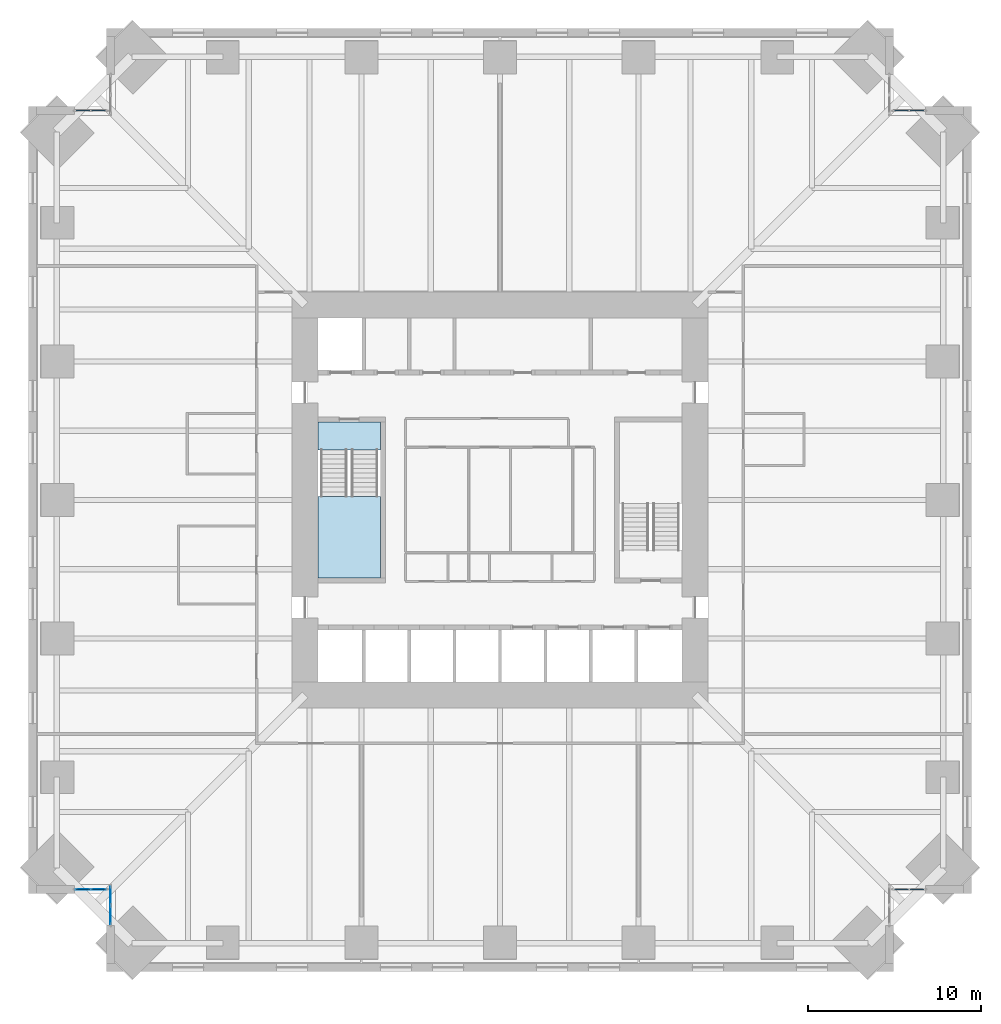
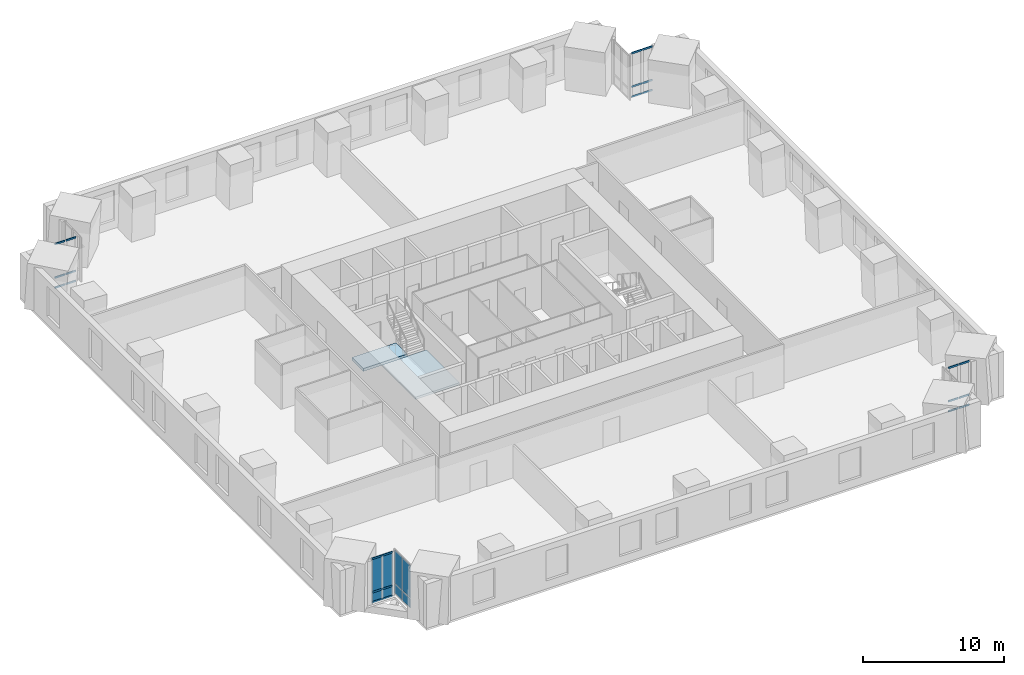
# One storey, part 9 of 16: 24 members, 8 plates, 2 slabs, 6 elements without a shape of their own.
"""IFC4 building model written with IfcOpenShell, lengths in metres."""

from ifc_helpers import new_model, si_unit, direction, frame, origin, origin_2d, place, context, subcontext, project, spatial, polyline, rectangle, hollow_rectangle, outline, extrude, material, layer, layer_set, material_profile, profile_set, type_object, element, aggregate, save


model = new_model("IFC4")

# Units and contexts
model_context = context("Model", 3, precision=1e-05, world=origin(), true_north=direction((0.0, 1.0)))
body_context = subcontext(model_context, "Body", "Model", "MODEL_VIEW")
ifc_project = project(units=[si_unit("LENGTHUNIT", "METRE"), si_unit("AREAUNIT", "SQUARE_METRE"), si_unit("VOLUMEUNIT", "CUBIC_METRE"), si_unit("PLANEANGLEUNIT", "RADIAN"), si_unit("MASSUNIT", "GRAM", prefix="KILO")], contexts=[model_context])

# Site, building, storey
site_placement = place(None, origin())
site = spatial("IfcSite", under=ifc_project, at=site_placement, CompositionType="ELEMENT")
building_placement = place(site_placement, origin())
building = spatial("IfcBuilding", under=site, at=building_placement, Name="Peilmerk Tower", CompositionType="ELEMENT")
storey_placement = place(building_placement, frame((0.0, 0.0, 131.800048828125)))
storey = spatial("IfcBuildingStorey", under=building, at=storey_placement, Name="L26", CompositionType="ELEMENT", Elevation=131.800048828125)

# Curtain wall, members
ifc_material_1 = material(Name="Aluminium stick curtain wall", Category="aluminium")
curtain_wall_type = type_object("IfcCurtainWallType", Name="CW3 stick curtain wall, 2250 module", PredefinedType="NOTDEFINED", material=ifc_material_1)
curtain_wall_1_placement = place(storey_placement, origin())
curtain_wall_1 = element("IfcCurtainWall", 1, at=curtain_wall_1_placement, inside=storey, type_object=curtain_wall_type, Name="Curtain wall CW3 NEB L26", PredefinedType="NOTDEFINED")
ifc_material_2 = material(Name="Aluminium EN AW-6063 T6", Category="aluminium")
ifc_material_profile = material_profile(ifc_material_2, hollow_rectangle(XDim=0.06494140625, YDim=0.14990234375, WallThickness=0.0029296875, at=origin_2d()), Name="AL 150x65x3")
ifc_profile_set = profile_set([ifc_material_profile], Name="Aluminium EN AW-6063 T6")
member_type = type_object("IfcMemberType", Name="CW3-T AL 150x65x3 transom", PredefinedType="USERDEFINED", material=ifc_profile_set)
member_1_placement = place(storey_placement, frame((22.764892578125, 22.47509765625, 0.032470703125), z_axis=(1.0, 0.0, 0.0), x_axis=(0.0, 1.0, 0.0)))
member_1 = element("IfcMember", 2, at=member_1_placement, type_object=member_type, Name="CW3 transom 1.1", ObjectType="TRANSOM", PredefinedType="USERDEFINED", context=body_context, shape_type="SweptSolid", body=[
    extrude(hollow_rectangle(XDim=0.06494140625, YDim=0.14990234375, WallThickness=0.0029296875, at=origin_2d()), origin(), (0.0, 0.0, 1.0), 0.822021484375),
])
member_2_placement = place(storey_placement, frame((22.764892578125, 22.47509765625, 0.89990234375), z_axis=(1.0, 0.0, 0.0), x_axis=(0.0, 1.0, 0.0)))
member_2 = element("IfcMember", 3, at=member_2_placement, type_object=member_type, Name="CW3 transom 1.2", ObjectType="TRANSOM", PredefinedType="USERDEFINED", context=body_context, shape_type="SweptSolid", body=[
    extrude(hollow_rectangle(XDim=0.06494140625, YDim=0.14990234375, WallThickness=0.0029296875, at=origin_2d()), origin(), (0.0, 0.0, 1.0), 0.822021484375),
])
member_3_placement = place(storey_placement, frame((22.764892578125, 22.47509765625, 3.79736328125), z_axis=(1.0, 0.0, 0.0), x_axis=(0.0, 1.0, 0.0)))
member_3 = element("IfcMember", 4, at=member_3_placement, type_object=member_type, Name="CW3 transom 1.3", ObjectType="TRANSOM", PredefinedType="USERDEFINED", context=body_context, shape_type="SweptSolid", body=[
    extrude(hollow_rectangle(XDim=0.06494140625, YDim=0.14990234375, WallThickness=0.0029296875, at=origin_2d()), origin(), (0.0, 0.0, 1.0), 0.822021484375),
])
member_4_placement = place(storey_placement, frame((23.65185546875, 22.47509765625, 0.032470703125), z_axis=(1.0, 0.0, 0.0), x_axis=(0.0, 1.0, 0.0)))
member_4 = element("IfcMember", 5, at=member_4_placement, type_object=member_type, Name="CW3 transom 2.1", ObjectType="TRANSOM", PredefinedType="USERDEFINED", context=body_context, shape_type="SweptSolid", body=[
    extrude(hollow_rectangle(XDim=0.06494140625, YDim=0.14990234375, WallThickness=0.0029296875, at=origin_2d()), origin(), (0.0, 0.0, 1.0), 0.82177734375),
])
member_5_placement = place(storey_placement, frame((23.65185546875, 22.47509765625, 0.89990234375), z_axis=(1.0, 0.0, 0.0), x_axis=(0.0, 1.0, 0.0)))
member_5 = element("IfcMember", 6, at=member_5_placement, type_object=member_type, Name="CW3 transom 2.2", ObjectType="TRANSOM", PredefinedType="USERDEFINED", context=body_context, shape_type="SweptSolid", body=[
    extrude(hollow_rectangle(XDim=0.06494140625, YDim=0.14990234375, WallThickness=0.0029296875, at=origin_2d()), origin(), (0.0, 0.0, 1.0), 0.82177734375),
])
member_6_placement = place(storey_placement, frame((23.65185546875, 22.47509765625, 3.79736328125), z_axis=(1.0, 0.0, 0.0), x_axis=(0.0, 1.0, 0.0)))
member_6 = element("IfcMember", 7, at=member_6_placement, type_object=member_type, Name="CW3 transom 2.3", ObjectType="TRANSOM", PredefinedType="USERDEFINED", context=body_context, shape_type="SweptSolid", body=[
    extrude(hollow_rectangle(XDim=0.06494140625, YDim=0.14990234375, WallThickness=0.0029296875, at=origin_2d()), origin(), (0.0, 0.0, 1.0), 0.82177734375),
])
aggregate(curtain_wall_1, [member_1, member_2, member_3, member_4, member_5, member_6])

curtain_wall_2_placement = place(storey_placement, origin())
curtain_wall_2 = element("IfcCurtainWall", 8, at=curtain_wall_2_placement, inside=storey, type_object=curtain_wall_type, Name="Curtain wall CW3 SEB L26", PredefinedType="NOTDEFINED")
member_7_placement = place(storey_placement, frame((22.764892578125, -22.47509765625, 0.032470703125), z_axis=(1.0, 0.0, 0.0), x_axis=(0.0, 1.0, 0.0)))
member_7 = element("IfcMember", 9, at=member_7_placement, type_object=member_type, Name="CW3 transom 1.1", ObjectType="TRANSOM", PredefinedType="USERDEFINED", context=body_context, shape_type="SweptSolid", body=[
    extrude(hollow_rectangle(XDim=0.06494140625, YDim=0.14990234375, WallThickness=0.0029296875, at=origin_2d()), origin(), (0.0, 0.0, 1.0), 0.822021484375),
])
member_8_placement = place(storey_placement, frame((22.764892578125, -22.47509765625, 0.89990234375), z_axis=(1.0, 0.0, 0.0), x_axis=(0.0, 1.0, 0.0)))
member_8 = element("IfcMember", 10, at=member_8_placement, type_object=member_type, Name="CW3 transom 1.2", ObjectType="TRANSOM", PredefinedType="USERDEFINED", context=body_context, shape_type="SweptSolid", body=[
    extrude(hollow_rectangle(XDim=0.06494140625, YDim=0.14990234375, WallThickness=0.0029296875, at=origin_2d()), origin(), (0.0, 0.0, 1.0), 0.822021484375),
])
member_9_placement = place(storey_placement, frame((22.764892578125, -22.47509765625, 3.79736328125), z_axis=(1.0, 0.0, 0.0), x_axis=(0.0, 1.0, 0.0)))
member_9 = element("IfcMember", 11, at=member_9_placement, type_object=member_type, Name="CW3 transom 1.3", ObjectType="TRANSOM", PredefinedType="USERDEFINED", context=body_context, shape_type="SweptSolid", body=[
    extrude(hollow_rectangle(XDim=0.06494140625, YDim=0.14990234375, WallThickness=0.0029296875, at=origin_2d()), origin(), (0.0, 0.0, 1.0), 0.822021484375),
])
member_10_placement = place(storey_placement, frame((23.65185546875, -22.47509765625, 0.032470703125), z_axis=(1.0, 0.0, 0.0), x_axis=(0.0, 1.0, 0.0)))
member_10 = element("IfcMember", 12, at=member_10_placement, type_object=member_type, Name="CW3 transom 2.1", ObjectType="TRANSOM", PredefinedType="USERDEFINED", context=body_context, shape_type="SweptSolid", body=[
    extrude(hollow_rectangle(XDim=0.06494140625, YDim=0.14990234375, WallThickness=0.0029296875, at=origin_2d()), origin(), (0.0, 0.0, 1.0), 0.82177734375),
])
member_11_placement = place(storey_placement, frame((23.65185546875, -22.47509765625, 0.89990234375), z_axis=(1.0, 0.0, 0.0), x_axis=(0.0, 1.0, 0.0)))
member_11 = element("IfcMember", 13, at=member_11_placement, type_object=member_type, Name="CW3 transom 2.2", ObjectType="TRANSOM", PredefinedType="USERDEFINED", context=body_context, shape_type="SweptSolid", body=[
    extrude(hollow_rectangle(XDim=0.06494140625, YDim=0.14990234375, WallThickness=0.0029296875, at=origin_2d()), origin(), (0.0, 0.0, 1.0), 0.82177734375),
])
member_12_placement = place(storey_placement, frame((23.65185546875, -22.47509765625, 3.79736328125), z_axis=(1.0, 0.0, 0.0), x_axis=(0.0, 1.0, 0.0)))
member_12 = element("IfcMember", 14, at=member_12_placement, type_object=member_type, Name="CW3 transom 2.3", ObjectType="TRANSOM", PredefinedType="USERDEFINED", context=body_context, shape_type="SweptSolid", body=[
    extrude(hollow_rectangle(XDim=0.06494140625, YDim=0.14990234375, WallThickness=0.0029296875, at=origin_2d()), origin(), (0.0, 0.0, 1.0), 0.82177734375),
])
aggregate(curtain_wall_2, [member_7, member_8, member_9, member_10, member_11, member_12])

curtain_wall_3_placement = place(storey_placement, origin())
curtain_wall_3 = element("IfcCurtainWall", 15, at=curtain_wall_3_placement, inside=storey, type_object=curtain_wall_type, Name="Curtain wall CW3 SWB L26", PredefinedType="NOTDEFINED")
member_13_placement = place(storey_placement, frame((-22.764892578125, -22.47509765625, 0.032470703125), z_axis=(-1.0, 0.0, 0.0), x_axis=(0.0, -1.0, 0.0)))
member_13 = element("IfcMember", 16, at=member_13_placement, type_object=member_type, Name="CW3 transom 1.1", ObjectType="TRANSOM", PredefinedType="USERDEFINED", context=body_context, shape_type="SweptSolid", body=[
    extrude(hollow_rectangle(XDim=0.06494140625, YDim=0.14990234375, WallThickness=0.0029296875, at=origin_2d()), origin(), (0.0, 0.0, 1.0), 0.822021484375),
])
member_14_placement = place(storey_placement, frame((-22.764892578125, -22.47509765625, 0.89990234375), z_axis=(-1.0, 0.0, 0.0), x_axis=(0.0, -1.0, 0.0)))
member_14 = element("IfcMember", 17, at=member_14_placement, type_object=member_type, Name="CW3 transom 1.2", ObjectType="TRANSOM", PredefinedType="USERDEFINED", context=body_context, shape_type="SweptSolid", body=[
    extrude(hollow_rectangle(XDim=0.06494140625, YDim=0.14990234375, WallThickness=0.0029296875, at=origin_2d()), origin(), (0.0, 0.0, 1.0), 0.822021484375),
])
member_15_placement = place(storey_placement, frame((-22.764892578125, -22.47509765625, 3.79736328125), z_axis=(-1.0, 0.0, 0.0), x_axis=(0.0, -1.0, 0.0)))
member_15 = element("IfcMember", 18, at=member_15_placement, type_object=member_type, Name="CW3 transom 1.3", ObjectType="TRANSOM", PredefinedType="USERDEFINED", context=body_context, shape_type="SweptSolid", body=[
    extrude(hollow_rectangle(XDim=0.06494140625, YDim=0.14990234375, WallThickness=0.0029296875, at=origin_2d()), origin(), (0.0, 0.0, 1.0), 0.822021484375),
])
member_16_placement = place(storey_placement, frame((-23.65185546875, -22.47509765625, 0.032470703125), z_axis=(-1.0, 0.0, 0.0), x_axis=(0.0, -1.0, 0.0)))
member_16 = element("IfcMember", 19, at=member_16_placement, type_object=member_type, Name="CW3 transom 2.1", ObjectType="TRANSOM", PredefinedType="USERDEFINED", context=body_context, shape_type="SweptSolid", body=[
    extrude(hollow_rectangle(XDim=0.06494140625, YDim=0.14990234375, WallThickness=0.0029296875, at=origin_2d()), origin(), (0.0, 0.0, 1.0), 0.82177734375),
])
member_17_placement = place(storey_placement, frame((-23.65185546875, -22.47509765625, 0.89990234375), z_axis=(-1.0, 0.0, 0.0), x_axis=(0.0, -1.0, 0.0)))
member_17 = element("IfcMember", 20, at=member_17_placement, type_object=member_type, Name="CW3 transom 2.2", ObjectType="TRANSOM", PredefinedType="USERDEFINED", context=body_context, shape_type="SweptSolid", body=[
    extrude(hollow_rectangle(XDim=0.06494140625, YDim=0.14990234375, WallThickness=0.0029296875, at=origin_2d()), origin(), (0.0, 0.0, 1.0), 0.82177734375),
])
member_18_placement = place(storey_placement, frame((-23.65185546875, -22.47509765625, 3.79736328125), z_axis=(-1.0, 0.0, 0.0), x_axis=(0.0, -1.0, 0.0)))
member_18 = element("IfcMember", 21, at=member_18_placement, type_object=member_type, Name="CW3 transom 2.3", ObjectType="TRANSOM", PredefinedType="USERDEFINED", context=body_context, shape_type="SweptSolid", body=[
    extrude(hollow_rectangle(XDim=0.06494140625, YDim=0.14990234375, WallThickness=0.0029296875, at=origin_2d()), origin(), (0.0, 0.0, 1.0), 0.82177734375),
])

curtain_wall_4_placement = place(storey_placement, origin())
curtain_wall_4 = element("IfcCurtainWall", 22, at=curtain_wall_4_placement, inside=storey, type_object=curtain_wall_type, Name="Curtain wall CW3 NWB L26", PredefinedType="NOTDEFINED")
member_19_placement = place(storey_placement, frame((-22.764892578125, 22.47509765625, 0.032470703125), z_axis=(-1.0, 0.0, 0.0), x_axis=(0.0, -1.0, 0.0)))
member_19 = element("IfcMember", 23, at=member_19_placement, type_object=member_type, Name="CW3 transom 1.1", ObjectType="TRANSOM", PredefinedType="USERDEFINED", context=body_context, shape_type="SweptSolid", body=[
    extrude(hollow_rectangle(XDim=0.06494140625, YDim=0.14990234375, WallThickness=0.0029296875, at=origin_2d()), origin(), (0.0, 0.0, 1.0), 0.822021484375),
])
member_20_placement = place(storey_placement, frame((-22.764892578125, 22.47509765625, 0.89990234375), z_axis=(-1.0, 0.0, 0.0), x_axis=(0.0, -1.0, 0.0)))
member_20 = element("IfcMember", 24, at=member_20_placement, type_object=member_type, Name="CW3 transom 1.2", ObjectType="TRANSOM", PredefinedType="USERDEFINED", context=body_context, shape_type="SweptSolid", body=[
    extrude(hollow_rectangle(XDim=0.06494140625, YDim=0.14990234375, WallThickness=0.0029296875, at=origin_2d()), origin(), (0.0, 0.0, 1.0), 0.822021484375),
])
member_21_placement = place(storey_placement, frame((-22.764892578125, 22.47509765625, 3.79736328125), z_axis=(-1.0, 0.0, 0.0), x_axis=(0.0, -1.0, 0.0)))
member_21 = element("IfcMember", 25, at=member_21_placement, type_object=member_type, Name="CW3 transom 1.3", ObjectType="TRANSOM", PredefinedType="USERDEFINED", context=body_context, shape_type="SweptSolid", body=[
    extrude(hollow_rectangle(XDim=0.06494140625, YDim=0.14990234375, WallThickness=0.0029296875, at=origin_2d()), origin(), (0.0, 0.0, 1.0), 0.822021484375),
])
member_22_placement = place(storey_placement, frame((-23.65185546875, 22.47509765625, 0.032470703125), z_axis=(-1.0, 0.0, 0.0), x_axis=(0.0, -1.0, 0.0)))
member_22 = element("IfcMember", 26, at=member_22_placement, type_object=member_type, Name="CW3 transom 2.1", ObjectType="TRANSOM", PredefinedType="USERDEFINED", context=body_context, shape_type="SweptSolid", body=[
    extrude(hollow_rectangle(XDim=0.06494140625, YDim=0.14990234375, WallThickness=0.0029296875, at=origin_2d()), origin(), (0.0, 0.0, 1.0), 0.82177734375),
])
member_23_placement = place(storey_placement, frame((-23.65185546875, 22.47509765625, 0.89990234375), z_axis=(-1.0, 0.0, 0.0), x_axis=(0.0, -1.0, 0.0)))
member_23 = element("IfcMember", 27, at=member_23_placement, type_object=member_type, Name="CW3 transom 2.2", ObjectType="TRANSOM", PredefinedType="USERDEFINED", context=body_context, shape_type="SweptSolid", body=[
    extrude(hollow_rectangle(XDim=0.06494140625, YDim=0.14990234375, WallThickness=0.0029296875, at=origin_2d()), origin(), (0.0, 0.0, 1.0), 0.82177734375),
])
member_24_placement = place(storey_placement, frame((-23.65185546875, 22.47509765625, 3.79736328125), z_axis=(-1.0, 0.0, 0.0), x_axis=(0.0, -1.0, 0.0)))
member_24 = element("IfcMember", 28, at=member_24_placement, type_object=member_type, Name="CW3 transom 2.3", ObjectType="TRANSOM", PredefinedType="USERDEFINED", context=body_context, shape_type="SweptSolid", body=[
    extrude(hollow_rectangle(XDim=0.06494140625, YDim=0.14990234375, WallThickness=0.0029296875, at=origin_2d()), origin(), (0.0, 0.0, 1.0), 0.82177734375),
])
aggregate(curtain_wall_4, [member_19, member_20, member_21, member_22, member_23, member_24])

# Curtain wall, plates
curtain_wall_5_placement = place(storey_placement, origin())
curtain_wall_5 = element("IfcCurtainWall", 29, at=curtain_wall_5_placement, inside=storey, type_object=curtain_wall_type, Name="Curtain wall CW3 SWA L26", PredefinedType="NOTDEFINED")
ifc_material_3 = material(Name="Clear insulated glazing unit", Category="glass")
ifc_layer_1 = layer(ifc_material_3, 0.028076171875)
ifc_layer_set_1 = layer_set([ifc_layer_1], Name="Clear insulated glazing unit")
plate_type = type_object("IfcPlateType", Name="CW3-P 28 glazed panel", PredefinedType="CURTAIN_PANEL", material=ifc_layer_set_1)
plate_1_placement = place(storey_placement, frame((-22.47509765625, -22.83837890625, 0.06494140625), z_axis=(0.0, 0.0, 1.0), x_axis=(0.0, -1.0, 0.0)))
plate_1 = element("IfcPlate", 30, at=plate_1_placement, type_object=plate_type, Name="CW3 panel 1.1", PredefinedType="CURTAIN_PANEL", context=body_context, shape_type="SweptSolid", body=[
    extrude(rectangle(XDim=1.046875, YDim=0.028076171875, at=origin_2d()), origin(), (0.0, 0.0, 1.0), 0.802490234375),
])
plate_2_placement = place(storey_placement, frame((-22.47509765625, -22.83837890625, 0.932373046875), z_axis=(0.0, 0.0, 1.0), x_axis=(0.0, -1.0, 0.0)))
plate_2 = element("IfcPlate", 31, at=plate_2_placement, type_object=plate_type, Name="CW3 panel 1.2", PredefinedType="CURTAIN_PANEL", context=body_context, shape_type="SweptSolid", body=[
    extrude(rectangle(XDim=1.046875, YDim=0.028076171875, at=origin_2d()), origin(), (0.0, 0.0, 1.0), 2.83251953125),
])
plate_3_placement = place(storey_placement, frame((-22.47509765625, -23.9501953125, 0.06494140625), z_axis=(0.0, 0.0, 1.0), x_axis=(0.0, -1.0, 0.0)))
plate_3 = element("IfcPlate", 32, at=plate_3_placement, type_object=plate_type, Name="CW3 panel 2.1", PredefinedType="CURTAIN_PANEL", context=body_context, shape_type="SweptSolid", body=[
    extrude(rectangle(XDim=1.046875, YDim=0.028076171875, at=origin_2d()), origin(), (0.0, 0.0, 1.0), 0.802490234375),
])
plate_4_placement = place(storey_placement, frame((-22.47509765625, -23.9501953125, 0.932373046875), z_axis=(0.0, 0.0, 1.0), x_axis=(0.0, -1.0, 0.0)))
plate_4 = element("IfcPlate", 33, at=plate_4_placement, type_object=plate_type, Name="CW3 panel 2.2", PredefinedType="CURTAIN_PANEL", context=body_context, shape_type="SweptSolid", body=[
    extrude(rectangle(XDim=1.046875, YDim=0.028076171875, at=origin_2d()), origin(), (0.0, 0.0, 1.0), 2.83251953125),
])
aggregate(curtain_wall_5, [plate_1, plate_2, plate_3, plate_4])

# Plate
plate_5_placement = place(storey_placement, frame((-23.176025390625, -22.47509765625, 0.06494140625), z_axis=(0.0, 0.0, 1.0), x_axis=(-1.0, 0.0, 0.0)))
plate_5 = element("IfcPlate", 34, at=plate_5_placement, type_object=plate_type, Name="CW3 panel 1.1", PredefinedType="CURTAIN_PANEL", context=body_context, shape_type="SweptSolid", body=[
    extrude(rectangle(XDim=0.82177734375, YDim=0.028076171875, at=origin_2d()), origin(), (0.0, 0.0, 1.0), 0.802490234375),
])

plate_6_placement = place(storey_placement, frame((-23.176025390625, -22.47509765625, 0.932373046875), z_axis=(0.0, 0.0, 1.0), x_axis=(-1.0, 0.0, 0.0)))
plate_6 = element("IfcPlate", 35, at=plate_6_placement, type_object=plate_type, Name="CW3 panel 1.2", PredefinedType="CURTAIN_PANEL", context=body_context, shape_type="SweptSolid", body=[
    extrude(rectangle(XDim=0.82177734375, YDim=0.028076171875, at=origin_2d()), origin(), (0.0, 0.0, 1.0), 2.83251953125),
])

plate_7_placement = place(storey_placement, frame((-24.062744140625, -22.47509765625, 0.06494140625), z_axis=(0.0, 0.0, 1.0), x_axis=(-1.0, 0.0, 0.0)))
plate_7 = element("IfcPlate", 36, at=plate_7_placement, type_object=plate_type, Name="CW3 panel 2.1", PredefinedType="CURTAIN_PANEL", context=body_context, shape_type="SweptSolid", body=[
    extrude(rectangle(XDim=0.82177734375, YDim=0.028076171875, at=origin_2d()), origin(), (0.0, 0.0, 1.0), 0.802490234375),
])

plate_8_placement = place(storey_placement, frame((-24.062744140625, -22.47509765625, 0.932373046875), z_axis=(0.0, 0.0, 1.0), x_axis=(-1.0, 0.0, 0.0)))
plate_8 = element("IfcPlate", 37, at=plate_8_placement, type_object=plate_type, Name="CW3 panel 2.2", PredefinedType="CURTAIN_PANEL", context=body_context, shape_type="SweptSolid", body=[
    extrude(rectangle(XDim=0.82177734375, YDim=0.028076171875, at=origin_2d()), origin(), (0.0, 0.0, 1.0), 2.83251953125),
])

aggregate(curtain_wall_3, [member_13, member_14, member_15, plate_5, plate_6, member_16, member_17, member_18, plate_7, plate_8])

# Stair, slabs
ifc_material_4 = material(Name="Precast concrete C45/55", Category="concrete")
stair_type = type_object("IfcStairType", Name="ST1 22 risers of 181.8", PredefinedType="HALF_TURN_STAIR", material=ifc_material_4)
stair_placement = place(storey_placement, origin())
stair = element("IfcStair", 38, at=stair_placement, inside=storey, type_object=stair_type, Name="Stair 1 L26 to L27", PredefinedType="HALF_TURN_STAIR")
ifc_material_5 = material(Name="Concrete C35/45", Category="concrete")
ifc_layer_2 = layer(ifc_material_5, 0.199951171875)
ifc_layer_set_2 = layer_set([ifc_layer_2], Name="Concrete C35/45")
slab_type_1 = type_object("IfcSlabType", Name="SL1 200 concrete stair landing", PredefinedType="LANDING", material=ifc_layer_set_2)
slab_1_placement = place(storey_placement, frame((0.0, 0.0, 1.800048828125)))
slab_1 = element("IfcSlab", 39, at=slab_1_placement, type_object=slab_type_1, Name="ST1 landing 1", PredefinedType="LANDING", context=body_context, shape_type="SweptSolid", body=[
    extrude(outline(polyline([(-10.5, -4.5), (-6.89990234375, -4.5), (-6.89990234375, 0.199951171875), (-10.5, 0.199951171875), (-10.5, -4.5)])), origin(), (0.0, 0.0, 1.0), 0.199951171875),
])
ifc_layer_3 = layer(ifc_material_5, 0.25)
ifc_layer_set_3 = layer_set([ifc_layer_3], Name="Concrete C35/45")
slab_type_2 = type_object("IfcSlabType", Name="SL2 250 concrete floor landing", PredefinedType="LANDING", material=ifc_layer_set_3)
slab_2_placement = place(storey_placement, frame((0.0, 0.0, -0.25)))
slab_2 = element("IfcSlab", 40, at=slab_2_placement, type_object=slab_type_2, Name="ST1 floor landing", PredefinedType="LANDING", context=body_context, shape_type="SweptSolid", body=[
    extrude(outline(polyline([(-10.5, 2.89990234375), (-6.89990234375, 2.89990234375), (-6.89990234375, 4.5), (-10.5, 4.5), (-10.5, 2.89990234375)])), origin(), (0.0, 0.0, 1.0), 0.25),
])
aggregate(stair, [slab_1, slab_2])

save(model, "model.ifc")
